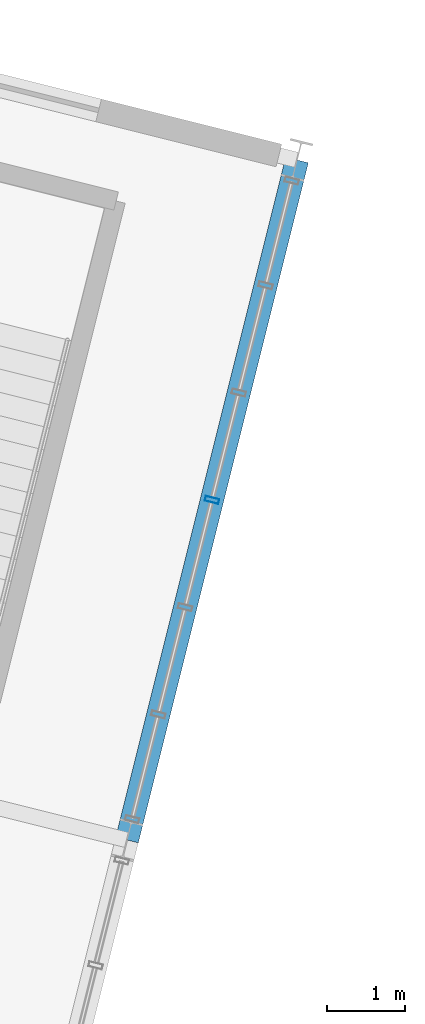
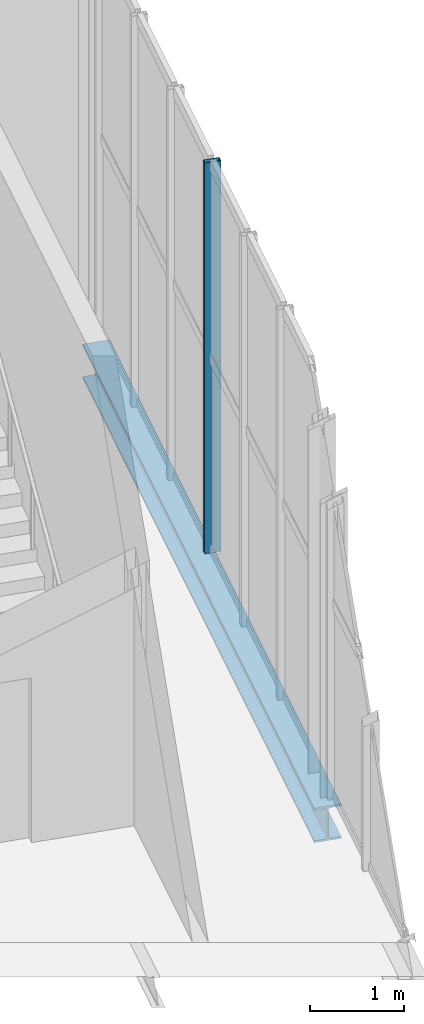
# One storey, part 100 of 158: 1 beam, 1 member, 1 element without a shape of its own.
"""IFC4 building model written with IfcOpenShell, lengths in metres."""

from ifc_helpers import new_model, si_unit, derived_unit, direction, frame, origin, origin_2d, place, context, subcontext, project, spatial, hollow_rectangle, i_section, extrude, material, material_profile, profile_set, type_object, element, aggregate, save


model = new_model("IFC4")

# Units and contexts
model_context = context("Model", 3, precision=1e-05, world=origin(), true_north=direction((0.0, 1.0)))
body_context = subcontext(model_context, "Body", "Model", "MODEL_VIEW")
ifc_project = project(units=[si_unit("LENGTHUNIT", "METRE"), si_unit("AREAUNIT", "SQUARE_METRE"), si_unit("VOLUMEUNIT", "CUBIC_METRE"), si_unit("PLANEANGLEUNIT", "RADIAN"), si_unit("MASSUNIT", "GRAM", prefix="KILO"), si_unit("THERMODYNAMICTEMPERATUREUNIT", "KELVIN"), si_unit("TIMEUNIT", "SECOND"), derived_unit("THERMALTRANSMITTANCEUNIT", [(si_unit("MASSUNIT", "GRAM", prefix="KILO"), 1), (si_unit("THERMODYNAMICTEMPERATUREUNIT", "KELVIN"), -1), (si_unit("TIMEUNIT", "SECOND"), -3)])], contexts=[model_context])

# Site, building, storey
site_placement = place(None, origin())
site = spatial("IfcSite", under=ifc_project, at=site_placement, CompositionType="ELEMENT")
building_placement = place(site_placement, origin())
building = spatial("IfcBuilding", under=site, at=building_placement, Name="Cambertide Market Hall", CompositionType="ELEMENT")
storey_placement = place(building_placement, origin())
storey = spatial("IfcBuildingStorey", under=building, at=storey_placement, Name="L01", CompositionType="ELEMENT", Elevation=0.0)

# Curtain wall, member
ifc_material_1 = material(Name="Marine Anodized Aluminium 6063-T6 AA25", Category="aluminium")
curtain_wall_type = type_object("IfcCurtainWallType", Name="Cooking School Ground Showcase Wall", PredefinedType="USERDEFINED", material=ifc_material_1)
curtain_wall_placement = place(storey_placement, origin())
curtain_wall = element("IfcCurtainWall", 1, at=curtain_wall_placement, inside=storey, type_object=curtain_wall_type, Name="Level 1 Curtain Wall CW-V4E-L01-3", ObjectType="UNITIZED CURTAIN WALL", PredefinedType="USERDEFINED")
ifc_material_2 = material(Name="Champagne Marine Anodized Aluminium 6063-T6 AA25", Category="aluminium")
ifc_material_profile_1 = material_profile(ifc_material_2, hollow_rectangle(XDim=0.06494140625, YDim=0.179931640625, WallThickness=0.00390625, at=origin_2d()), Name="ALU MULLION 65x180")
ifc_profile_set_1 = profile_set([ifc_material_profile_1], Name="Champagne Marine Anodized Aluminium 6063-T6 AA25")
member_type = type_object("IfcMemberType", Name="Curtain Wall Mullion ALU MULLION 65x180", PredefinedType="MULLION", material=ifc_profile_set_1)
member_placement = place(storey_placement, frame((175.546142578125, 106.305908203125, 0.0), z_axis=(0.0, 0.0, 1.0), x_axis=(-0.242535569805, -0.970142513953, 0.0)))
member = element("IfcMember", 2, at=member_placement, type_object=member_type, Name="CW-V4E-L01-3 Mullion 4", PredefinedType="MULLION", context=body_context, shape_type="SweptSolid", body=[
    extrude(hollow_rectangle(XDim=0.06494140625, YDim=0.179931640625, WallThickness=0.00390625, at=origin_2d()), origin(), (0.0, 0.0, 1.0), 5.10009765625),
])
aggregate(curtain_wall, [member])

# Beam
ifc_material_3 = material(Name="Steel S355", Category="steel")
ifc_material_profile_2 = material_profile(ifc_material_3, i_section(OverallWidth=0.300048828125, OverallDepth=0.449951171875, WebThickness=0.013916015625, FlangeThickness=0.02587890625, FilletRadius=0.027099609375, at=origin_2d()), Name="HEB 450")
ifc_profile_set_2 = profile_set([ifc_material_profile_2], Name="Steel S355")
beam_type = type_object("IfcBeamType", Name="Steel Girder HEB 450", PredefinedType="BEAM", material=ifc_profile_set_2)
beam_placement = place(storey_placement, frame((174.454833984375, 101.940185546875, -0.52490234375), z_axis=(0.242535625036, 0.970142500145, 0.0), x_axis=(-0.970142500145, 0.242535625036, 0.0)))
element("IfcBeam", 3, at=beam_placement, inside=storey, type_object=beam_type, Name="Level 1 Beam BM-V4V-L01-9-3", PredefinedType="BEAM", context=body_context, shape_type="SweptSolid", body=[
    extrude(i_section(OverallWidth=0.300048828125, OverallDepth=0.449951171875, WebThickness=0.013916015625, FlangeThickness=0.02587890625, FilletRadius=0.027099609375, at=origin_2d()), origin(), (0.0, 0.0, 1.0), 9.000244140625),
])

save(model, "model.ifc")
